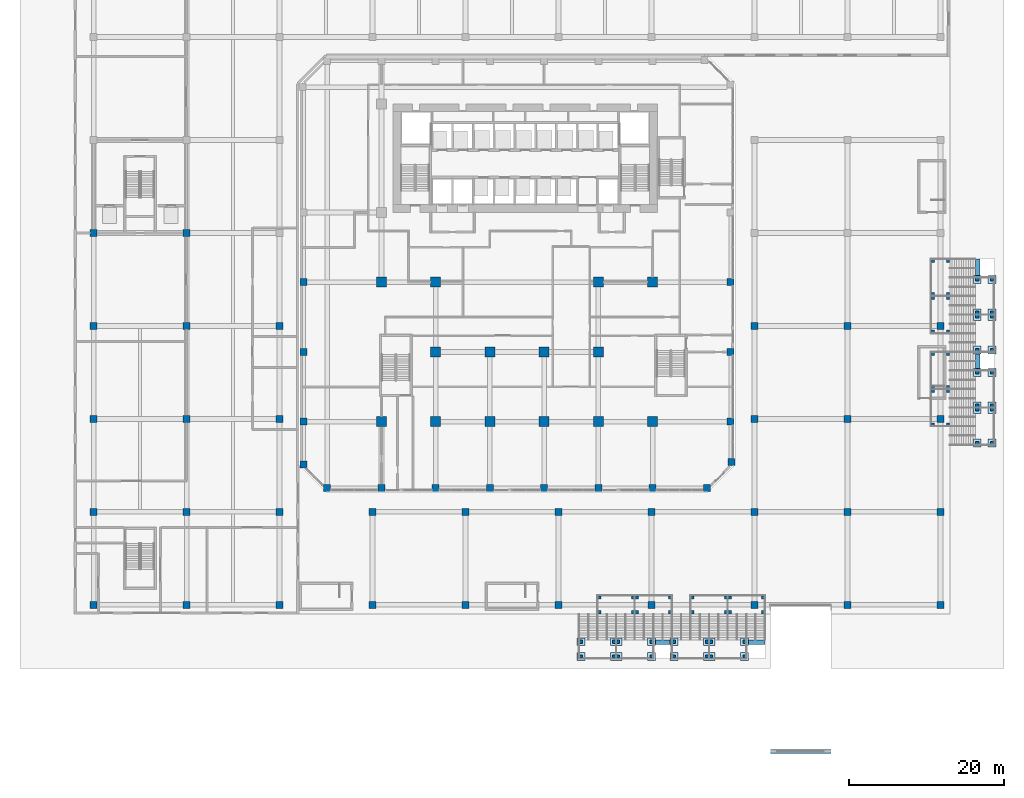
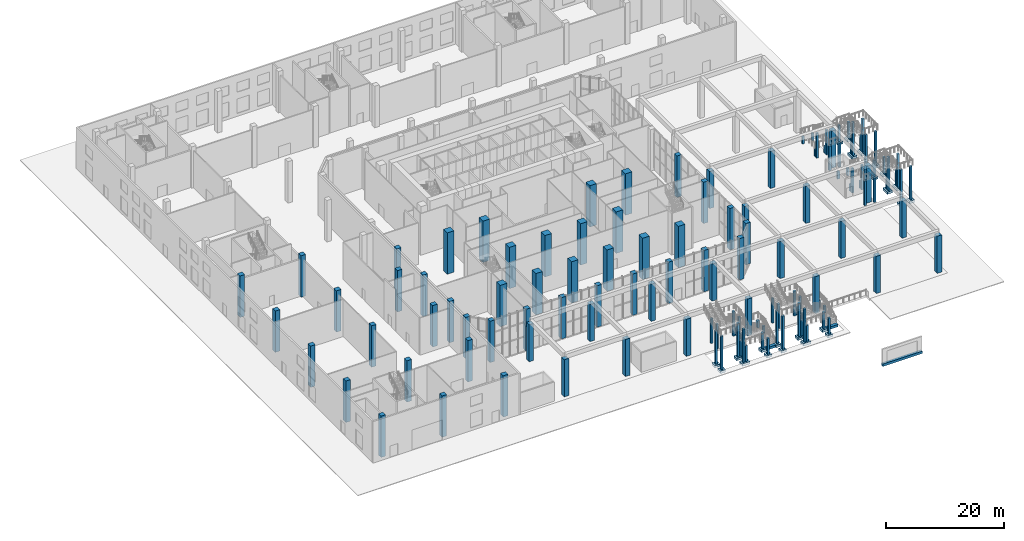
# One storey, part 1 of 43: 128 columns, 29 footings.
"""IFC4 building model written with IfcOpenShell, lengths in metres."""

from ifc_helpers import new_model, si_unit, direction, frame, origin, origin_2d, place, context, subcontext, project, spatial, polyline, rectangle, outline, extrude, source, transform, mapped, material, material_profile, profile_set, type_object, element, save


model = new_model("IFC4")

# Units and contexts
model_context = context("Model", 3, precision=1e-05, world=origin(), true_north=direction((0.0, 1.0)))
body_context = subcontext(model_context, "Body", "Model", "MODEL_VIEW")
ifc_project = project(units=[si_unit("LENGTHUNIT", "METRE"), si_unit("AREAUNIT", "SQUARE_METRE"), si_unit("VOLUMEUNIT", "CUBIC_METRE"), si_unit("PLANEANGLEUNIT", "RADIAN"), si_unit("MASSUNIT", "GRAM", prefix="KILO")], contexts=[model_context])

# Site, building, storey
site_placement = place(None, origin())
site = spatial("IfcSite", under=ifc_project, at=site_placement, CompositionType="ELEMENT")
building_placement = place(site_placement, origin())
building = spatial("IfcBuilding", under=site, at=building_placement, Name="Kilnfold Tower and Market Hall", CompositionType="ELEMENT")
storey_placement = place(building_placement, origin())
storey = spatial("IfcBuildingStorey", under=building, at=storey_placement, Name="L00", CompositionType="ELEMENT", Elevation=0.0)

# Footings
ifc_material_1 = material(Name="Concrete C40/50", Category="concrete")
footing_type_1 = type_object("IfcFootingType", Name="GARDEN STAIR FOOT FOOTING 600", PredefinedType="STRIP_FOOTING", material=ifc_material_1)
shared_shape_1 = source(origin(), body_context, "Body", "SweptSolid", [
    extrude(outline(polyline([(17.60009765625, -47.14990234375), (20.0, -47.14990234375), (20.0, -47.75), (17.60009765625, -47.75), (17.60009765625, -47.14990234375)])), origin(), (0.0, 0.0, 1.0), 0.5),
])
footing_1_placement = place(storey_placement, frame((0.0, 0.0, -0.5)))
element("IfcFooting", 1, at=footing_1_placement, inside=storey, type_object=footing_type_1, Name="Garden stair GS-S1 foot footing", PredefinedType="STRIP_FOOTING", context=body_context, shape_type="MappedRepresentation", body=[
    mapped(shared_shape_1, transform((0.0, 0.0, 0.0))),
])
ifc_material_2 = material(Name="Concrete C40/50", Category="concrete")
footing_type_2 = type_object("IfcFootingType", Name="GARDEN STAIR PAD FOOTING 1000", PredefinedType="PAD_FOOTING", material=ifc_material_2)
shared_shape_2 = source(origin(), body_context, "Body", "SweptSolid", [
    extrude(rectangle(XDim=1.0, YDim=1.0, at=origin_2d()), origin(), (0.0, 0.0, 1.0), 0.5),
])
for number, where, z_axis, x_axis, name in (
    (2, (8.25, -47.39990234375, -0.5), (0.0, 0.0, 1.0), (1.0, 0.0, 0.0), "Garden stair pad footing"),
    (3, (8.25, -49.300048828125, -0.5), (0.0, 0.0, 1.0), (1.0, 0.0, 0.0), "Garden stair pad footing"),
    (4, (17.35009765625, -47.39990234375, -0.5), (0.0, 0.0, 1.0), (1.0, 0.0, 0.0), "Garden stair pad footing"),
    (5, (17.35009765625, -49.300048828125, -0.5), (0.0, 0.0, 1.0), (1.0, 0.0, 0.0), "Garden stair pad footing"),
    (6, (20.25, -47.39990234375, -0.5), (0.0, 0.0, 1.0), (1.0, 0.0, 0.0), "Garden stair pad footing"),
    (7, (20.25, -49.300048828125, -0.5), (0.0, 0.0, 1.0), (1.0, 0.0, 0.0), "Garden stair pad footing"),
    (8, (29.35009765625, -47.39990234375, -0.5), (0.0, 0.0, 1.0), (1.0, 0.0, 0.0), "Garden stair pad footing"),
    (9, (29.35009765625, -49.300048828125, -0.5), (0.0, 0.0, 1.0), (1.0, 0.0, 0.0), "Garden stair pad footing"),
    (10, (59.39990234375, -21.75, -0.5), (0.0, 0.0, 1.0), (1.0, 0.0, 0.0), "Garden stair pad footing"),
    (11, (61.300048828125, -21.75, -0.5), (0.0, 0.0, 1.0), (1.0, 0.0, 0.0), "Garden stair pad footing"),
    (12, (59.39990234375, -12.64990234375, -0.5), (0.0, 0.0, 1.0), (1.0, 0.0, 0.0), "Garden stair pad footing"),
    (13, (61.300048828125, -12.64990234375, -0.5), (0.0, 0.0, 1.0), (1.0, 0.0, 0.0), "Garden stair pad footing"),
    (14, (59.39990234375, -9.75, -0.5), (0.0, 0.0, 1.0), (1.0, 0.0, 0.0), "Garden stair pad footing"),
    (15, (61.300048828125, -9.75, -0.5), (0.0, 0.0, 1.0), (1.0, 0.0, 0.0), "Garden stair pad footing"),
    (16, (59.39990234375, -0.64990234375, -0.5), (0.0, 0.0, 1.0), (1.0, 0.0, 0.0), "Garden stair pad footing"),
    (17, (61.300048828125, -0.64990234375, -0.5), (0.0, 0.0, 1.0), (1.0, 0.0, 0.0), "Garden stair pad footing"),
):
    element("IfcFooting", number, at=place(storey_placement, frame(where, z_axis=z_axis, x_axis=x_axis)), inside=storey, type_object=footing_type_2, Name=name, PredefinedType="PAD_FOOTING", context=body_context, shape_type="MappedRepresentation", body=[
        mapped(shared_shape_2, transform((0.0, 0.0, 0.0))),
    ])
shared_shape_3 = source(origin(), body_context, "Body", "SweptSolid", [
    extrude(rectangle(XDim=1.5, YDim=1.0, at=origin_2d()), origin(), (0.0, 0.0, 1.0), 0.5),
])
for number, where, z_axis, x_axis, name in (
    (18, (12.800048828125, -47.39990234375, -0.5), (0.0, 0.0, 1.0), (1.0, 0.0, 0.0), "Garden stair pad footing"),
    (19, (12.800048828125, -49.300048828125, -0.5), (0.0, 0.0, 1.0), (1.0, 0.0, 0.0), "Garden stair pad footing"),
    (20, (24.800048828125, -47.39990234375, -0.5), (0.0, 0.0, 1.0), (1.0, 0.0, 0.0), "Garden stair pad footing"),
    (21, (24.800048828125, -49.300048828125, -0.5), (0.0, 0.0, 1.0), (1.0, 0.0, 0.0), "Garden stair pad footing"),
):
    element("IfcFooting", number, at=place(storey_placement, frame(where, z_axis=z_axis, x_axis=x_axis)), inside=storey, type_object=footing_type_2, Name=name, PredefinedType="PAD_FOOTING", context=body_context, shape_type="MappedRepresentation", body=[
        mapped(shared_shape_3, transform((0.0, 0.0, 0.0))),
    ])
shared_shape_4 = source(origin(), body_context, "Body", "SweptSolid", [
    extrude(outline(polyline([(29.60009765625, -47.14990234375), (32.0, -47.14990234375), (32.0, -47.75), (29.60009765625, -47.75), (29.60009765625, -47.14990234375)])), origin(), (0.0, 0.0, 1.0), 0.5),
])
footing_2_placement = place(storey_placement, frame((0.0, 0.0, -0.5)))
element("IfcFooting", 22, at=footing_2_placement, inside=storey, type_object=footing_type_1, Name="Garden stair GS-S2 foot footing", PredefinedType="STRIP_FOOTING", context=body_context, shape_type="MappedRepresentation", body=[
    mapped(shared_shape_4, transform((0.0, 0.0, 0.0))),
])
shared_shape_5 = source(origin(), body_context, "Body", "SweptSolid", [
    extrude(outline(polyline([(59.14990234375, -12.39990234375), (59.14990234375, -10.0), (59.75, -10.0), (59.75, -12.39990234375), (59.14990234375, -12.39990234375)])), origin(), (0.0, 0.0, 1.0), 0.5),
])
footing_3_placement = place(storey_placement, frame((0.0, 0.0, -0.5)))
element("IfcFooting", 23, at=footing_3_placement, inside=storey, type_object=footing_type_1, Name="Garden stair GS-E1 foot footing", PredefinedType="STRIP_FOOTING", context=body_context, shape_type="MappedRepresentation", body=[
    mapped(shared_shape_5, transform((0.0, 0.0, 0.0))),
])
shared_shape_6 = source(origin(), body_context, "Body", "SweptSolid", [
    extrude(rectangle(XDim=1.0, YDim=1.5, at=origin_2d()), origin(), (0.0, 0.0, 1.0), 0.5),
])
for number, where, z_axis, x_axis, name in (
    (24, (59.39990234375, -17.199951171875, -0.5), (0.0, 0.0, 1.0), (1.0, 0.0, 0.0), "Garden stair pad footing"),
    (25, (61.300048828125, -17.199951171875, -0.5), (0.0, 0.0, 1.0), (1.0, 0.0, 0.0), "Garden stair pad footing"),
    (26, (59.39990234375, -5.199951171875, -0.5), (0.0, 0.0, 1.0), (1.0, 0.0, 0.0), "Garden stair pad footing"),
    (27, (61.300048828125, -5.199951171875, -0.5), (0.0, 0.0, 1.0), (1.0, 0.0, 0.0), "Garden stair pad footing"),
):
    element("IfcFooting", number, at=place(storey_placement, frame(where, z_axis=z_axis, x_axis=x_axis)), inside=storey, type_object=footing_type_2, Name=name, PredefinedType="PAD_FOOTING", context=body_context, shape_type="MappedRepresentation", body=[
        mapped(shared_shape_6, transform((0.0, 0.0, 0.0))),
    ])
shared_shape_7 = source(origin(), body_context, "Body", "SweptSolid", [
    extrude(outline(polyline([(59.14990234375, -0.39990234375), (59.14990234375, 2.0), (59.75, 2.0), (59.75, -0.39990234375), (59.14990234375, -0.39990234375)])), origin(), (0.0, 0.0, 1.0), 0.5),
])
footing_4_placement = place(storey_placement, frame((0.0, 0.0, -0.5)))
element("IfcFooting", 28, at=footing_4_placement, inside=storey, type_object=footing_type_1, Name="Garden stair GS-E2 foot footing", PredefinedType="STRIP_FOOTING", context=body_context, shape_type="MappedRepresentation", body=[
    mapped(shared_shape_7, transform((0.0, 0.0, 0.0))),
])
ifc_material_3 = material(Name="Concrete C40/50", Category="concrete")
footing_type_3 = type_object("IfcFootingType", Name="GATE WALL FOOTING 500", PredefinedType="STRIP_FOOTING", material=ifc_material_3)
shared_shape_8 = source(origin(), body_context, "Body", "SweptSolid", [
    extrude(outline(polyline([(32.699951171875, -61.800048828125), (40.5, -61.800048828125), (40.5, -61.300048828125), (32.699951171875, -61.300048828125), (32.699951171875, -61.800048828125)])), origin(), (0.0, 0.0, 1.0), 0.5),
])
footing_5_placement = place(storey_placement, frame((0.0, 0.0, -0.5)))
element("IfcFooting", 29, at=footing_5_placement, inside=storey, type_object=footing_type_3, Name="Ramp gate wall footing", PredefinedType="STRIP_FOOTING", context=body_context, shape_type="MappedRepresentation", body=[
    mapped(shared_shape_8, transform((0.0, 0.0, 0.0))),
])

# Columns
ifc_material_4 = material(Name="Concrete C80", Category="concrete")
ifc_material_profile_1 = material_profile(ifc_material_4, rectangle(XDim=0.89990234375, YDim=0.89990234375, at=origin_2d()), Name="RC 900x900")
ifc_profile_set_1 = profile_set([ifc_material_profile_1], Name="Concrete C80")
column_type_1 = type_object("IfcColumnType", Name="COLUMN 900X900 C80", PredefinedType="COLUMN", material=ifc_profile_set_1)
shared_shape_9 = source(origin(), body_context, "Body", "SweptSolid", [
    extrude(rectangle(XDim=0.89990234375, YDim=0.89990234375, at=origin_2d()), origin(), (0.0, 0.0, 1.0), 8.60009765625),
])
for number, where, z_axis, x_axis, name in (
    (30, (-27.550048828125, -24.5, 0.0), (0.0, 0.0, 1.0), (1.0, 0.0, 0.0), "Column C-B1-1B"),
    (31, (-27.550048828125, -19.0, 0.0), (0.0, 0.0, 1.0), (1.0, 0.0, 0.0), "Column C-B1-1C"),
    (32, (-27.550048828125, -10.0, 0.0), (0.0, 0.0, 1.0), (1.0, 0.0, 0.0), "Column C-B1-1D"),
    (33, (-27.550048828125, -1.0, 0.0), (0.0, 0.0, 1.0), (1.0, 0.0, 0.0), "Column C-B1-1E"),
    (34, (-24.5, -27.550048828125, 0.0), (0.0, 0.0, 1.0), (1.0, 0.0, 0.0), "Column C-B1-2A"),
    (35, (-17.5, -27.550048828125, 0.0), (0.0, 0.0, 1.0), (1.0, 0.0, 0.0), "Column C-B1-3A"),
    (36, (-10.5, -27.550048828125, 0.0), (0.0, 0.0, 1.0), (1.0, 0.0, 0.0), "Column C-B1-4A"),
    (37, (-3.5, -27.550048828125, 0.0), (0.0, 0.0, 1.0), (1.0, 0.0, 0.0), "Column C-B1-5A"),
    (38, (3.5, -27.550048828125, 0.0), (0.0, 0.0, 1.0), (1.0, 0.0, 0.0), "Column C-B1-6A"),
    (39, (10.5, -27.550048828125, 0.0), (0.0, 0.0, 1.0), (1.0, 0.0, 0.0), "Column C-B1-7A"),
    (40, (17.5, -27.550048828125, 0.0), (0.0, 0.0, 1.0), (1.0, 0.0, 0.0), "Column C-B1-8A"),
    (41, (24.5, -27.550048828125, 0.0), (0.0, 0.0, 1.0), (1.0, 0.0, 0.0), "Column C-B1-9A"),
    (42, (27.550048828125, -19.0, 0.0), (0.0, 0.0, 1.0), (1.0, 0.0, 0.0), "Column C-B1-10C"),
    (43, (27.550048828125, -10.0, 0.0), (0.0, 0.0, 1.0), (1.0, 0.0, 0.0), "Column C-B1-10D"),
    (44, (27.550048828125, -1.0, 0.0), (0.0, 0.0, 1.0), (1.0, 0.0, 0.0), "Column C-B1-10E"),
    (45, (27.681884765625, -24.181884765625, 0.0), (0.0, 0.0, 1.0), (1.0, 0.0, 0.0), "Column C-B1-10B"),
):
    element("IfcColumn", number, at=place(storey_placement, frame(where, z_axis=z_axis, x_axis=x_axis)), inside=storey, type_object=column_type_1, Name=name, PredefinedType="COLUMN", context=body_context, shape_type="MappedRepresentation", body=[
        mapped(shared_shape_9, transform((0.0, 0.0, 0.0))),
    ])
ifc_material_5 = material(Name="Concrete C80", Category="concrete")
ifc_material_profile_2 = material_profile(ifc_material_5, rectangle(XDim=1.300048828125, YDim=1.300048828125, at=origin_2d()), Name="RC 1300x1300")
ifc_profile_set_2 = profile_set([ifc_material_profile_2], Name="Concrete C80")
column_type_2 = type_object("IfcColumnType", Name="COLUMN 1300X1300 C80", PredefinedType="COLUMN", material=ifc_profile_set_2)
shared_shape_10 = source(origin(), body_context, "Body", "SweptSolid", [
    extrude(rectangle(XDim=1.300048828125, YDim=1.300048828125, at=origin_2d()), origin(), (0.0, 0.0, 1.0), 8.60009765625),
])
for number, where, z_axis, x_axis, name in (
    (46, (-17.5, -19.0, 0.0), (0.0, 0.0, 1.0), (1.0, 0.0, 0.0), "Column C-B1-3C"),
    (47, (-17.5, -1.0, 0.0), (0.0, 0.0, 1.0), (1.0, 0.0, 0.0), "Column C-B1-3E"),
    (48, (-10.5, -19.0, 0.0), (0.0, 0.0, 1.0), (1.0, 0.0, 0.0), "Column C-B1-4C"),
    (49, (-10.5, -10.0, 0.0), (0.0, 0.0, 1.0), (1.0, 0.0, 0.0), "Column C-B1-4D"),
    (50, (-10.5, -1.0, 0.0), (0.0, 0.0, 1.0), (1.0, 0.0, 0.0), "Column C-B1-4E"),
    (51, (-3.5, -19.0, 0.0), (0.0, 0.0, 1.0), (1.0, 0.0, 0.0), "Column C-B1-5C"),
    (52, (-3.5, -10.0, 0.0), (0.0, 0.0, 1.0), (1.0, 0.0, 0.0), "Column C-B1-5D"),
    (53, (3.5, -19.0, 0.0), (0.0, 0.0, 1.0), (1.0, 0.0, 0.0), "Column C-B1-6C"),
    (54, (3.5, -10.0, 0.0), (0.0, 0.0, 1.0), (1.0, 0.0, 0.0), "Column C-B1-6D"),
    (55, (10.5, -19.0, 0.0), (0.0, 0.0, 1.0), (1.0, 0.0, 0.0), "Column C-B1-7C"),
    (56, (10.5, -10.0, 0.0), (0.0, 0.0, 1.0), (1.0, 0.0, 0.0), "Column C-B1-7D"),
    (57, (10.5, -1.0, 0.0), (0.0, 0.0, 1.0), (1.0, 0.0, 0.0), "Column C-B1-7E"),
    (58, (17.5, -19.0, 0.0), (0.0, 0.0, 1.0), (1.0, 0.0, 0.0), "Column C-B1-8C"),
    (59, (17.5, -1.0, 0.0), (0.0, 0.0, 1.0), (1.0, 0.0, 0.0), "Column C-B1-8E"),
):
    element("IfcColumn", number, at=place(storey_placement, frame(where, z_axis=z_axis, x_axis=x_axis)), inside=storey, type_object=column_type_2, Name=name, PredefinedType="COLUMN", context=body_context, shape_type="MappedRepresentation", body=[
        mapped(shared_shape_10, transform((0.0, 0.0, 0.0))),
    ])
ifc_material_6 = material(Name="Concrete C60/75", Category="concrete")
ifc_material_profile_3 = material_profile(ifc_material_6, rectangle(XDim=0.89990234375, YDim=0.89990234375, at=origin_2d()), Name="RC 900x900")
ifc_profile_set_3 = profile_set([ifc_material_profile_3], Name="Concrete C60/75")
column_type_3 = type_object("IfcColumnType", Name="HALL COL 900", PredefinedType="COLUMN", material=ifc_profile_set_3)
shared_shape_11 = source(origin(), body_context, "Body", "SweptSolid", [
    extrude(rectangle(XDim=0.89990234375, YDim=0.89990234375, at=origin_2d()), origin(), (0.0, 0.0, 1.0), 8.60009765625),
])
for number, where, z_axis, x_axis, name in (
    (60, (-54.64990234375, -42.64990234375, 0.0), (0.0, 0.0, 1.0), (1.0, 0.0, 0.0), "Column MC-1A"),
    (61, (-54.64990234375, -30.64990234375, 0.0), (0.0, 0.0, 1.0), (1.0, 0.0, 0.0), "Column MC-1B"),
    (62, (-54.64990234375, -18.64990234375, 0.0), (0.0, 0.0, 1.0), (1.0, 0.0, 0.0), "Column MC-1C"),
    (63, (-54.64990234375, -6.64990234375, 0.0), (0.0, 0.0, 1.0), (1.0, 0.0, 0.0), "Column MC-1D"),
    (64, (-54.64990234375, 5.35009765625, 0.0), (0.0, 0.0, 1.0), (1.0, 0.0, 0.0), "Column MC-1E"),
    (65, (-42.64990234375, -42.64990234375, 0.0), (0.0, 0.0, 1.0), (1.0, 0.0, 0.0), "Column MC-2A"),
    (66, (-42.64990234375, -30.64990234375, 0.0), (0.0, 0.0, 1.0), (1.0, 0.0, 0.0), "Column MC-2B"),
    (67, (-42.64990234375, -18.64990234375, 0.0), (0.0, 0.0, 1.0), (1.0, 0.0, 0.0), "Column MC-2C"),
    (68, (-42.64990234375, -6.64990234375, 0.0), (0.0, 0.0, 1.0), (1.0, 0.0, 0.0), "Column MC-2D"),
    (69, (-42.64990234375, 5.35009765625, 0.0), (0.0, 0.0, 1.0), (1.0, 0.0, 0.0), "Column MC-2E"),
    (70, (-30.64990234375, -42.64990234375, 0.0), (0.0, 0.0, 1.0), (1.0, 0.0, 0.0), "Column MC-3A"),
    (71, (-30.64990234375, -30.64990234375, 0.0), (0.0, 0.0, 1.0), (1.0, 0.0, 0.0), "Column MC-3B"),
    (72, (-30.64990234375, -18.64990234375, 0.0), (0.0, 0.0, 1.0), (1.0, 0.0, 0.0), "Column MC-3C"),
    (73, (-30.64990234375, -6.64990234375, 0.0), (0.0, 0.0, 1.0), (1.0, 0.0, 0.0), "Column MC-3D"),
):
    element("IfcColumn", number, at=place(storey_placement, frame(where, z_axis=z_axis, x_axis=x_axis)), inside=storey, type_object=column_type_3, Name=name, PredefinedType="COLUMN", context=body_context, shape_type="MappedRepresentation", body=[
        mapped(shared_shape_11, transform((0.0, 0.0, 0.0))),
    ])
ifc_material_7 = material(Name="Concrete C60/75", Category="concrete")
ifc_material_profile_4 = material_profile(ifc_material_7, rectangle(XDim=0.89990234375, YDim=0.89990234375, at=origin_2d()), Name="RC 900x900")
ifc_profile_set_4 = profile_set([ifc_material_profile_4], Name="Concrete C60/75")
column_type_4 = type_object("IfcColumnType", Name="ARCADE COLUMN 900", PredefinedType="COLUMN", material=ifc_profile_set_4)
shared_shape_12 = source(origin(), body_context, "Body", "SweptSolid", [
    extrude(rectangle(XDim=0.89990234375, YDim=0.89990234375, at=origin_2d()), origin(), (0.0, 0.0, 1.0), 7.699951171875),
])
for number, where, z_axis, x_axis, name in (
    (74, (-18.64990234375, -42.64990234375, 0.0), (0.0, 0.0, 1.0), (1.0, 0.0, 0.0), "Arcade column MC-4A"),
    (75, (-18.64990234375, -30.64990234375, 0.0), (0.0, 0.0, 1.0), (1.0, 0.0, 0.0), "Arcade column MC-4B"),
    (76, (-6.64990234375, -42.64990234375, 0.0), (0.0, 0.0, 1.0), (1.0, 0.0, 0.0), "Arcade column MC-5A"),
    (77, (-6.64990234375, -30.64990234375, 0.0), (0.0, 0.0, 1.0), (1.0, 0.0, 0.0), "Arcade column MC-5B"),
    (78, (5.35009765625, -42.64990234375, 0.0), (0.0, 0.0, 1.0), (1.0, 0.0, 0.0), "Arcade column MC-6A"),
    (79, (5.35009765625, -30.64990234375, 0.0), (0.0, 0.0, 1.0), (1.0, 0.0, 0.0), "Arcade column MC-6B"),
    (80, (17.35009765625, -42.64990234375, 0.0), (0.0, 0.0, 1.0), (1.0, 0.0, 0.0), "Arcade column MC-7A"),
    (81, (17.35009765625, -30.64990234375, 0.0), (0.0, 0.0, 1.0), (1.0, 0.0, 0.0), "Arcade column MC-7B"),
    (82, (30.64990234375, -42.64990234375, 0.0), (0.0, 0.0, 1.0), (1.0, 0.0, 0.0), "Arcade column MC-8A"),
    (83, (30.64990234375, -30.64990234375, 0.0), (0.0, 0.0, 1.0), (1.0, 0.0, 0.0), "Arcade column MC-8B"),
    (84, (30.64990234375, -18.64990234375, 0.0), (0.0, 0.0, 1.0), (1.0, 0.0, 0.0), "Arcade column MC-8C"),
    (85, (30.64990234375, -6.64990234375, 0.0), (0.0, 0.0, 1.0), (1.0, 0.0, 0.0), "Arcade column MC-8D"),
    (86, (42.64990234375, -42.64990234375, 0.0), (0.0, 0.0, 1.0), (1.0, 0.0, 0.0), "Arcade column MC-9A"),
    (87, (42.64990234375, -30.64990234375, 0.0), (0.0, 0.0, 1.0), (1.0, 0.0, 0.0), "Arcade column MC-9B"),
    (88, (42.64990234375, -18.64990234375, 0.0), (0.0, 0.0, 1.0), (1.0, 0.0, 0.0), "Arcade column MC-9C"),
    (89, (42.64990234375, -6.64990234375, 0.0), (0.0, 0.0, 1.0), (1.0, 0.0, 0.0), "Arcade column MC-9D"),
    (90, (54.64990234375, -42.64990234375, 0.0), (0.0, 0.0, 1.0), (1.0, 0.0, 0.0), "Arcade column MC-10A"),
    (91, (54.64990234375, -30.64990234375, 0.0), (0.0, 0.0, 1.0), (1.0, 0.0, 0.0), "Arcade column MC-10B"),
    (92, (54.64990234375, -18.64990234375, 0.0), (0.0, 0.0, 1.0), (1.0, 0.0, 0.0), "Arcade column MC-10C"),
    (93, (54.64990234375, -6.64990234375, 0.0), (0.0, 0.0, 1.0), (1.0, 0.0, 0.0), "Arcade column MC-10D"),
):
    element("IfcColumn", number, at=place(storey_placement, frame(where, z_axis=z_axis, x_axis=x_axis)), inside=storey, type_object=column_type_4, Name=name, PredefinedType="COLUMN", context=body_context, shape_type="MappedRepresentation", body=[
        mapped(shared_shape_12, transform((0.0, 0.0, 0.0))),
    ])
ifc_material_8 = material(Name="Concrete C40/50", Category="concrete")
ifc_material_profile_5 = material_profile(ifc_material_8, rectangle(XDim=0.39990234375, YDim=0.39990234375, at=origin_2d()), Name="RC 400x400")
ifc_profile_set_5 = profile_set([ifc_material_profile_5], Name="Concrete C40/50")
column_type_5 = type_object("IfcColumnType", Name="GARDEN STAIR SUPPORT 400", PredefinedType="COLUMN", material=ifc_profile_set_5)
shared_shape_13 = source(origin(), body_context, "Body", "SweptSolid", [
    extrude(rectangle(XDim=0.39990234375, YDim=0.39990234375, at=origin_2d()), origin(), (0.0, 0.0, 1.0), 6.89990234375),
])
for number, where, z_axis, x_axis, name in (
    (94, (8.25, -47.39990234375, 0.0), (0.0, 0.0, 1.0), (1.0, 0.0, 0.0), "Garden stair support"),
    (95, (8.25, -49.300048828125, 0.0), (0.0, 0.0, 1.0), (1.0, 0.0, 0.0), "Garden stair support"),
    (96, (12.550048828125, -47.39990234375, 0.0), (0.0, 0.0, 1.0), (1.0, 0.0, 0.0), "Garden stair support"),
    (97, (12.550048828125, -49.300048828125, 0.0), (0.0, 0.0, 1.0), (1.0, 0.0, 0.0), "Garden stair support"),
    (98, (20.25, -47.39990234375, 0.0), (0.0, 0.0, 1.0), (1.0, 0.0, 0.0), "Garden stair support"),
    (99, (20.25, -49.300048828125, 0.0), (0.0, 0.0, 1.0), (1.0, 0.0, 0.0), "Garden stair support"),
    (100, (24.550048828125, -47.39990234375, 0.0), (0.0, 0.0, 1.0), (1.0, 0.0, 0.0), "Garden stair support"),
    (101, (24.550048828125, -49.300048828125, 0.0), (0.0, 0.0, 1.0), (1.0, 0.0, 0.0), "Garden stair support"),
    (102, (59.39990234375, -21.75, 0.0), (0.0, 0.0, 1.0), (1.0, 0.0, 0.0), "Garden stair support"),
    (103, (61.300048828125, -21.75, 0.0), (0.0, 0.0, 1.0), (1.0, 0.0, 0.0), "Garden stair support"),
    (104, (59.39990234375, -17.449951171875, 0.0), (0.0, 0.0, 1.0), (1.0, 0.0, 0.0), "Garden stair support"),
    (105, (61.300048828125, -17.449951171875, 0.0), (0.0, 0.0, 1.0), (1.0, 0.0, 0.0), "Garden stair support"),
    (106, (59.39990234375, -9.75, 0.0), (0.0, 0.0, 1.0), (1.0, 0.0, 0.0), "Garden stair support"),
    (107, (61.300048828125, -9.75, 0.0), (0.0, 0.0, 1.0), (1.0, 0.0, 0.0), "Garden stair support"),
    (108, (59.39990234375, -5.449951171875, 0.0), (0.0, 0.0, 1.0), (1.0, 0.0, 0.0), "Garden stair support"),
    (109, (61.300048828125, -5.449951171875, 0.0), (0.0, 0.0, 1.0), (1.0, 0.0, 0.0), "Garden stair support"),
):
    element("IfcColumn", number, at=place(storey_placement, frame(where, z_axis=z_axis, x_axis=x_axis)), inside=storey, type_object=column_type_5, Name=name, PredefinedType="COLUMN", context=body_context, shape_type="MappedRepresentation", body=[
        mapped(shared_shape_13, transform((0.0, 0.0, 0.0))),
    ])
shared_shape_14 = source(origin(), body_context, "Body", "SweptSolid", [
    extrude(rectangle(XDim=0.39990234375, YDim=0.39990234375, at=origin_2d()), origin(), (0.0, 0.0, 1.0), 3.300048828125),
])
for number, where, z_axis, x_axis, name in (
    (110, (13.050048828125, -47.39990234375, 0.0), (0.0, 0.0, 1.0), (1.0, 0.0, 0.0), "Garden stair support"),
    (111, (13.050048828125, -49.300048828125, 0.0), (0.0, 0.0, 1.0), (1.0, 0.0, 0.0), "Garden stair support"),
    (112, (17.35009765625, -47.39990234375, 0.0), (0.0, 0.0, 1.0), (1.0, 0.0, 0.0), "Garden stair support"),
    (113, (17.35009765625, -49.300048828125, 0.0), (0.0, 0.0, 1.0), (1.0, 0.0, 0.0), "Garden stair support"),
    (114, (25.050048828125, -47.39990234375, 0.0), (0.0, 0.0, 1.0), (1.0, 0.0, 0.0), "Garden stair support"),
    (115, (25.050048828125, -49.300048828125, 0.0), (0.0, 0.0, 1.0), (1.0, 0.0, 0.0), "Garden stair support"),
    (116, (29.35009765625, -47.39990234375, 0.0), (0.0, 0.0, 1.0), (1.0, 0.0, 0.0), "Garden stair support"),
    (117, (29.35009765625, -49.300048828125, 0.0), (0.0, 0.0, 1.0), (1.0, 0.0, 0.0), "Garden stair support"),
    (118, (59.39990234375, -16.949951171875, 0.0), (0.0, 0.0, 1.0), (1.0, 0.0, 0.0), "Garden stair support"),
    (119, (61.300048828125, -16.949951171875, 0.0), (0.0, 0.0, 1.0), (1.0, 0.0, 0.0), "Garden stair support"),
    (120, (59.39990234375, -12.64990234375, 0.0), (0.0, 0.0, 1.0), (1.0, 0.0, 0.0), "Garden stair support"),
    (121, (61.300048828125, -12.64990234375, 0.0), (0.0, 0.0, 1.0), (1.0, 0.0, 0.0), "Garden stair support"),
    (122, (59.39990234375, -4.949951171875, 0.0), (0.0, 0.0, 1.0), (1.0, 0.0, 0.0), "Garden stair support"),
    (123, (61.300048828125, -4.949951171875, 0.0), (0.0, 0.0, 1.0), (1.0, 0.0, 0.0), "Garden stair support"),
    (124, (59.39990234375, -0.64990234375, 0.0), (0.0, 0.0, 1.0), (1.0, 0.0, 0.0), "Garden stair support"),
    (125, (61.300048828125, -0.64990234375, 0.0), (0.0, 0.0, 1.0), (1.0, 0.0, 0.0), "Garden stair support"),
):
    element("IfcColumn", number, at=place(storey_placement, frame(where, z_axis=z_axis, x_axis=x_axis)), inside=storey, type_object=column_type_5, Name=name, PredefinedType="COLUMN", context=body_context, shape_type="MappedRepresentation", body=[
        mapped(shared_shape_14, transform((0.0, 0.0, 0.0))),
    ])
shared_shape_15 = source(origin(), body_context, "Body", "SweptSolid", [
    extrude(rectangle(XDim=0.39990234375, YDim=0.39990234375, at=origin_2d()), origin(), (0.0, 0.0, 1.0), 5.10009765625),
])
for number, where, z_axis, x_axis, name in (
    (126, (10.64990234375, -41.699951171875, 0.0), (0.0, 0.0, 1.0), (1.0, 0.0, 0.0), "Garden stair support"),
    (127, (10.64990234375, -43.60009765625, 0.0), (0.0, 0.0, 1.0), (1.0, 0.0, 0.0), "Garden stair support"),
    (128, (14.949951171875, -41.699951171875, 0.0), (0.0, 0.0, 1.0), (1.0, 0.0, 0.0), "Garden stair support"),
    (129, (14.949951171875, -43.60009765625, 0.0), (0.0, 0.0, 1.0), (1.0, 0.0, 0.0), "Garden stair support"),
    (130, (22.64990234375, -41.699951171875, 0.0), (0.0, 0.0, 1.0), (1.0, 0.0, 0.0), "Garden stair support"),
    (131, (22.64990234375, -43.60009765625, 0.0), (0.0, 0.0, 1.0), (1.0, 0.0, 0.0), "Garden stair support"),
    (132, (26.949951171875, -41.699951171875, 0.0), (0.0, 0.0, 1.0), (1.0, 0.0, 0.0), "Garden stair support"),
    (133, (26.949951171875, -43.60009765625, 0.0), (0.0, 0.0, 1.0), (1.0, 0.0, 0.0), "Garden stair support"),
    (134, (53.699951171875, -19.35009765625, 0.0), (0.0, 0.0, 1.0), (1.0, 0.0, 0.0), "Garden stair support"),
    (135, (55.60009765625, -19.35009765625, 0.0), (0.0, 0.0, 1.0), (1.0, 0.0, 0.0), "Garden stair support"),
    (136, (53.699951171875, -15.050048828125, 0.0), (0.0, 0.0, 1.0), (1.0, 0.0, 0.0), "Garden stair support"),
    (137, (55.60009765625, -15.050048828125, 0.0), (0.0, 0.0, 1.0), (1.0, 0.0, 0.0), "Garden stair support"),
    (138, (53.699951171875, -7.35009765625, 0.0), (0.0, 0.0, 1.0), (1.0, 0.0, 0.0), "Garden stair support"),
    (139, (55.60009765625, -7.35009765625, 0.0), (0.0, 0.0, 1.0), (1.0, 0.0, 0.0), "Garden stair support"),
    (140, (53.699951171875, -3.050048828125, 0.0), (0.0, 0.0, 1.0), (1.0, 0.0, 0.0), "Garden stair support"),
    (141, (55.60009765625, -3.050048828125, 0.0), (0.0, 0.0, 1.0), (1.0, 0.0, 0.0), "Garden stair support"),
):
    element("IfcColumn", number, at=place(storey_placement, frame(where, z_axis=z_axis, x_axis=x_axis)), inside=storey, type_object=column_type_5, Name=name, PredefinedType="COLUMN", context=body_context, shape_type="MappedRepresentation", body=[
        mapped(shared_shape_15, transform((0.0, 0.0, 0.0))),
    ])
shared_shape_16 = source(origin(), body_context, "Body", "SweptSolid", [
    extrude(rectangle(XDim=0.39990234375, YDim=0.39990234375, at=origin_2d()), origin(), (0.0, 0.0, 1.0), 1.5),
])
for number, where, z_axis, x_axis, name in (
    (142, (15.449951171875, -41.699951171875, 0.0), (0.0, 0.0, 1.0), (1.0, 0.0, 0.0), "Garden stair support"),
    (143, (15.449951171875, -43.60009765625, 0.0), (0.0, 0.0, 1.0), (1.0, 0.0, 0.0), "Garden stair support"),
    (144, (19.75, -41.699951171875, 0.0), (0.0, 0.0, 1.0), (1.0, 0.0, 0.0), "Garden stair support"),
    (145, (19.75, -43.60009765625, 0.0), (0.0, 0.0, 1.0), (1.0, 0.0, 0.0), "Garden stair support"),
    (146, (27.449951171875, -41.699951171875, 0.0), (0.0, 0.0, 1.0), (1.0, 0.0, 0.0), "Garden stair support"),
    (147, (27.449951171875, -43.60009765625, 0.0), (0.0, 0.0, 1.0), (1.0, 0.0, 0.0), "Garden stair support"),
    (148, (31.75, -41.699951171875, 0.0), (0.0, 0.0, 1.0), (1.0, 0.0, 0.0), "Garden stair support"),
    (149, (31.75, -43.60009765625, 0.0), (0.0, 0.0, 1.0), (1.0, 0.0, 0.0), "Garden stair support"),
    (150, (53.699951171875, -14.550048828125, 0.0), (0.0, 0.0, 1.0), (1.0, 0.0, 0.0), "Garden stair support"),
    (151, (55.60009765625, -14.550048828125, 0.0), (0.0, 0.0, 1.0), (1.0, 0.0, 0.0), "Garden stair support"),
    (152, (53.699951171875, -10.25, 0.0), (0.0, 0.0, 1.0), (1.0, 0.0, 0.0), "Garden stair support"),
    (153, (55.60009765625, -10.25, 0.0), (0.0, 0.0, 1.0), (1.0, 0.0, 0.0), "Garden stair support"),
    (154, (53.699951171875, -2.550048828125, 0.0), (0.0, 0.0, 1.0), (1.0, 0.0, 0.0), "Garden stair support"),
    (155, (55.60009765625, -2.550048828125, 0.0), (0.0, 0.0, 1.0), (1.0, 0.0, 0.0), "Garden stair support"),
    (156, (53.699951171875, 1.75, 0.0), (0.0, 0.0, 1.0), (1.0, 0.0, 0.0), "Garden stair support"),
    (157, (55.60009765625, 1.75, 0.0), (0.0, 0.0, 1.0), (1.0, 0.0, 0.0), "Garden stair support"),
):
    element("IfcColumn", number, at=place(storey_placement, frame(where, z_axis=z_axis, x_axis=x_axis)), inside=storey, type_object=column_type_5, Name=name, PredefinedType="COLUMN", context=body_context, shape_type="MappedRepresentation", body=[
        mapped(shared_shape_16, transform((0.0, 0.0, 0.0))),
    ])

save(model, "model.ifc")
